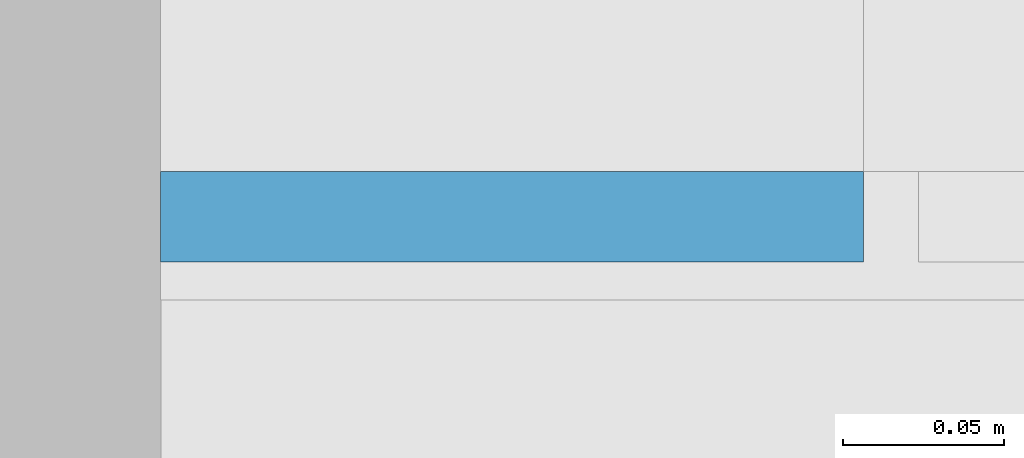
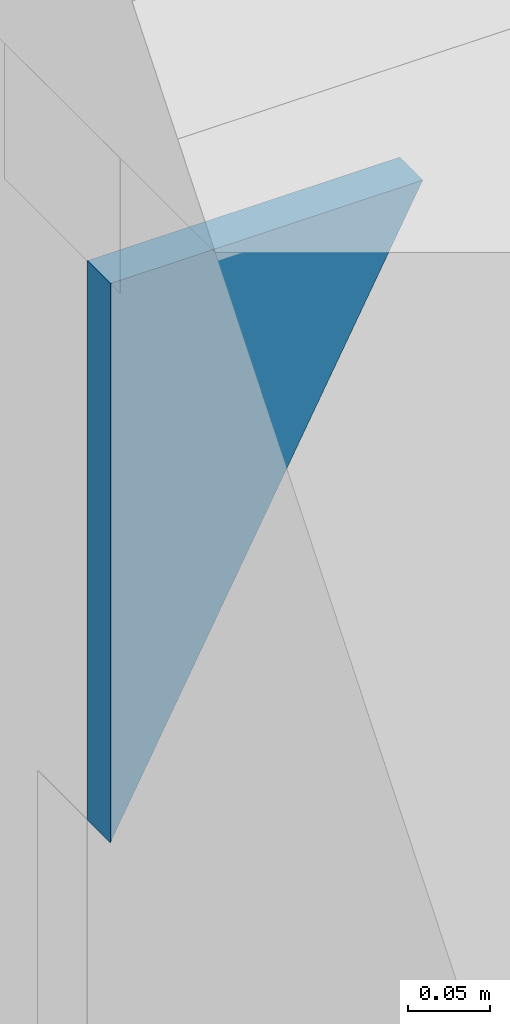
# One storey, part 15 of 26: 1 plate, 1 element without a shape of its own.
"""IFC4 building model written with IfcOpenShell, lengths in metres."""

from ifc_helpers import new_model, si_unit, direction, frame, origin, place, context, subcontext, project, spatial, polyline, outline, extrude, material, layer, layer_set, type_object, element, aggregate, save


model = new_model("IFC4")

# Units and contexts
model_context = context("Model", 3, precision=1e-05, world=origin(), true_north=direction((0.0, 1.0)))
body_context = subcontext(model_context, "Body", "Model", "MODEL_VIEW")
ifc_project = project(units=[si_unit("LENGTHUNIT", "METRE"), si_unit("AREAUNIT", "SQUARE_METRE"), si_unit("VOLUMEUNIT", "CUBIC_METRE"), si_unit("PLANEANGLEUNIT", "RADIAN"), si_unit("MASSUNIT", "GRAM", prefix="KILO")], contexts=[model_context])

# Site, building, storey
site_placement = place(None, origin())
site = spatial("IfcSite", under=ifc_project, at=site_placement, CompositionType="ELEMENT")
building_placement = place(site_placement, origin())
building = spatial("IfcBuilding", under=site, at=building_placement, Name="Tessera Arch", CompositionType="ELEMENT")
storey_placement = place(building_placement, frame((0.0, 0.0, 31.0)))
storey = spatial("IfcBuildingStorey", under=building, at=storey_placement, Name="L05", CompositionType="ELEMENT", Elevation=31.0)

# Curtain wall, plate
ifc_material_1 = material(Name="CW3 curtain wall")
curtain_wall_type = type_object("IfcCurtainWallType", Name="CW3 curtain wall", PredefinedType="NOTDEFINED", material=ifc_material_1)
curtain_wall_placement = place(storey_placement, origin())
curtain_wall = element("IfcCurtainWall", 1, at=curtain_wall_placement, inside=storey, type_object=curtain_wall_type, Name="CW3 curtain wall S0.0/2 L05", PredefinedType="NOTDEFINED")
ifc_material_2 = material(Name="Clear low-e glass", Category="glass")
ifc_material_3 = material(Name="Clear low-e glass", Category="glass")
ifc_layer = layer(ifc_material_3, 0.028076171875)
ifc_layer_set = layer_set([ifc_layer], Name="CW3 glass panel")
plate_type = type_object("IfcPlateType", Name="CW3 glass panel", PredefinedType="CURTAIN_PANEL", material=ifc_layer_set)
plate_placement = place(storey_placement, frame((27.89990234375, -0.05810546875, 2.39990234375), z_axis=(0.0, -1.0, 0.0), x_axis=(0.0, 0.0, -1.0)))
plate = element("IfcPlate", 2, at=plate_placement, type_object=plate_type, material=ifc_material_2, Name="CW3 triangulated glass panel S0.0/2 1", PredefinedType="CURTAIN_PANEL", context=body_context, shape_type="SweptSolid", body=[
    extrude(outline(polyline([(0.0, 0.0), (0.413818359375, 0.0), (0.0, 0.21875), (0.0, 0.0)])), origin(), (0.0, 0.0, -1.0), 0.028076171875),
])
aggregate(curtain_wall, [plate])

save(model, "model.ifc")
